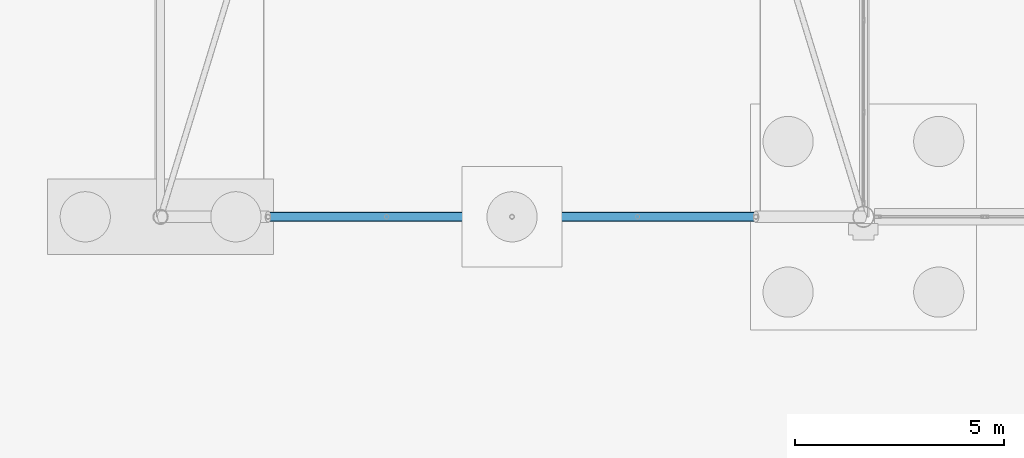
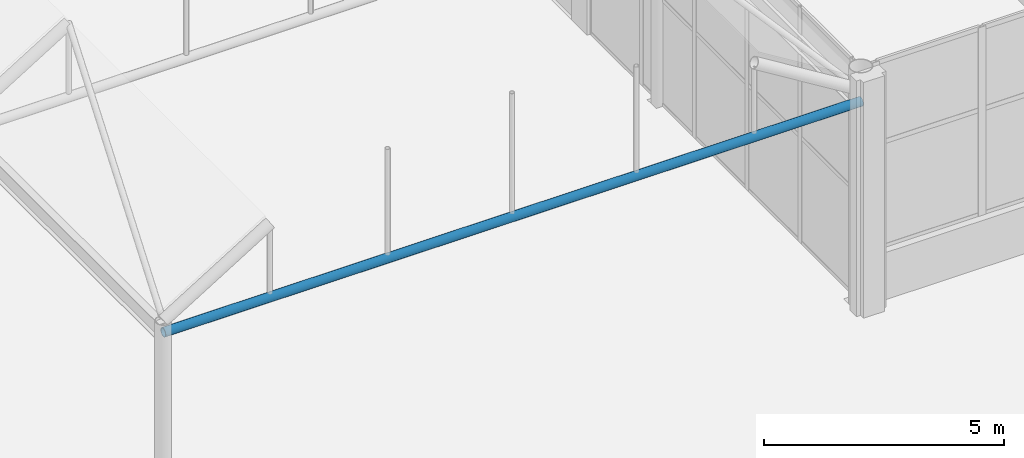
# One storey, part 85 of 212: 1 beam.
"""IFC4 building model written with IfcOpenShell, lengths in metres."""

from ifc_helpers import new_model, si_unit, direction, frame, origin, origin_2d, place, context, subcontext, project, spatial, hollow_circle, extrude, material, material_profile, profile_set, type_object, element, save


model = new_model("IFC4")

# Units and contexts
model_context = context("Model", 3, precision=1e-05, world=origin(), true_north=direction((0.0, 1.0)))
body_context = subcontext(model_context, "Body", "Model", "MODEL_VIEW")
ifc_project = project(units=[si_unit("LENGTHUNIT", "METRE"), si_unit("AREAUNIT", "SQUARE_METRE"), si_unit("VOLUMEUNIT", "CUBIC_METRE"), si_unit("PLANEANGLEUNIT", "RADIAN"), si_unit("MASSUNIT", "GRAM", prefix="KILO")], contexts=[model_context])

# Site, building, storey
site_placement = place(None, origin())
site = spatial("IfcSite", under=ifc_project, at=site_placement, CompositionType="ELEMENT")
building_placement = place(site_placement, origin())
building = spatial("IfcBuilding", under=site, at=building_placement, Name="Catenary Quay Ferry Terminal", CompositionType="ELEMENT")
storey_placement = place(building_placement, origin())
storey = spatial("IfcBuildingStorey", under=building, at=storey_placement, Name="L00", CompositionType="ELEMENT", Elevation=0.0)

# Beam
ifc_material = material(Name="Steel S355", Category="steel")
ifc_material_profile = material_profile(ifc_material, hollow_circle(Radius=0.109619140625, WallThickness=0.010009765625, at=origin_2d()), Name="CHS 219.1x10")
ifc_profile_set = profile_set([ifc_material_profile], Name="Steel S355")
beam_type = type_object("IfcBeamType", Name="TB2 CHS 219.1x10", PredefinedType="BEAM", material=ifc_profile_set)
beam_placement = place(storey_placement, frame((8.39990234375, 67.199951171875, 5.10009765625), z_axis=(1.0, 0.0, 0.0), x_axis=(0.0, 1.0, 0.0)))
element("IfcBeam", 1, at=beam_placement, inside=storey, type_object=beam_type, Name="tie beam FC-01", PredefinedType="BEAM", context=body_context, shape_type="SweptSolid", body=[
    extrude(hollow_circle(Radius=0.109619140625, WallThickness=0.010009765625, at=origin_2d()), origin(), (0.0, 0.0, 1.0), 16.800048828125),
])

save(model, "model.ifc")
